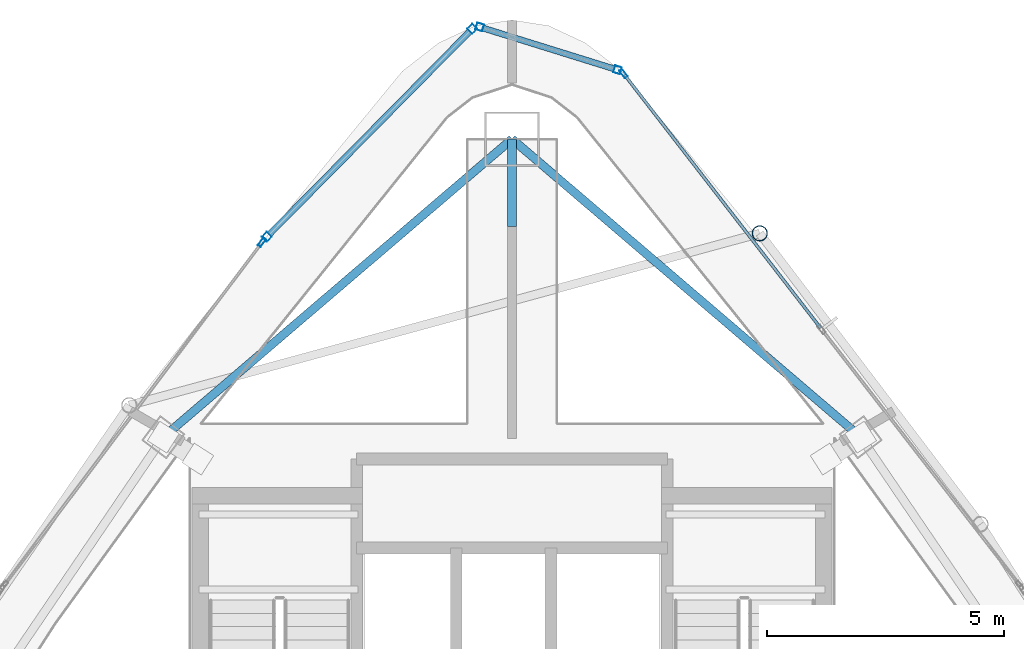
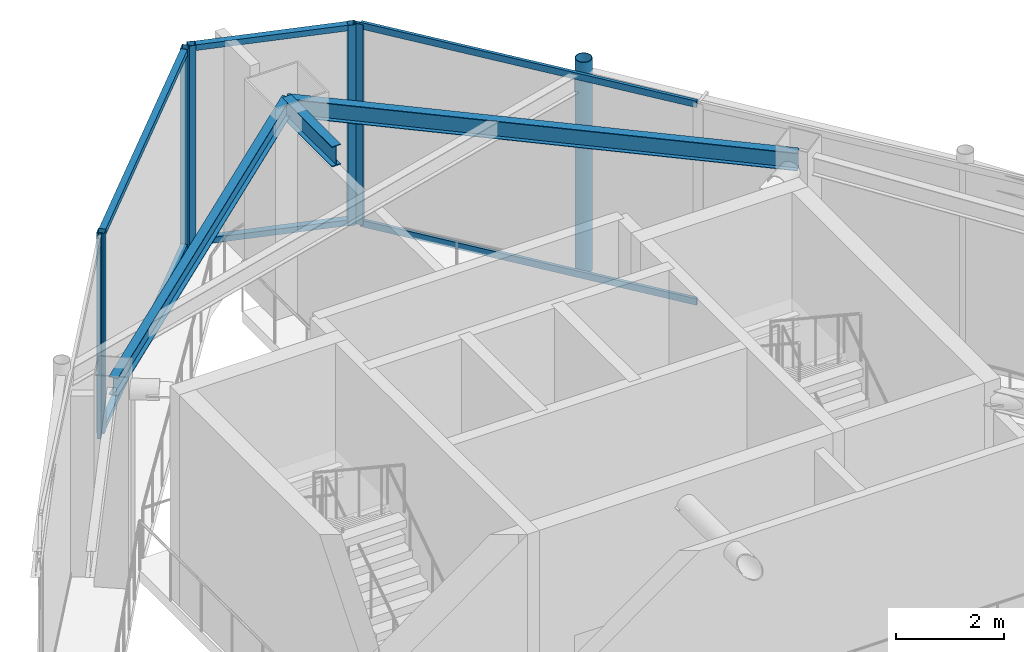
# One storey, part 15 of 20: 13 members, 3 beams, 4 elements without a shape of their own.
"""IFC4 building model written with IfcOpenShell, lengths in metres."""

from ifc_helpers import new_model, si_unit, direction, frame, origin, origin_2d, place, context, subcontext, project, spatial, hollow_rectangle, hollow_circle, i_section, extrude, material, layer, layer_set, material_profile, profile_set, type_object, element, aggregate, save


model = new_model("IFC4")

# Units and contexts
model_context = context("Model", 3, precision=1e-05, world=origin(), true_north=direction((0.0, 1.0)))
body_context = subcontext(model_context, "Body", "Model", "MODEL_VIEW")
ifc_project = project(units=[si_unit("LENGTHUNIT", "METRE"), si_unit("AREAUNIT", "SQUARE_METRE"), si_unit("VOLUMEUNIT", "CUBIC_METRE"), si_unit("PLANEANGLEUNIT", "RADIAN"), si_unit("MASSUNIT", "GRAM", prefix="KILO")], contexts=[model_context])

# Site, building, storey
site_placement = place(None, origin())
site = spatial("IfcSite", under=ifc_project, at=site_placement, CompositionType="ELEMENT")
building_placement = place(site_placement, origin())
building = spatial("IfcBuilding", under=site, at=building_placement, Name="Orvanel Arch Residences", CompositionType="ELEMENT")
storey_placement = place(building_placement, frame((0.0, 0.0, 305.300048828125)))
storey = spatial("IfcBuildingStorey", under=building, at=storey_placement, Name="L85", CompositionType="ELEMENT", Elevation=305.300048828125)

# Beam
ifc_material_1 = material(Name="Structural steel AS/NZS 3679.1 Grade 300 (300 MPa)", Category="steel")
ifc_material_profile_1 = material_profile(ifc_material_1, i_section(OverallWidth=0.19091796875, OverallDepth=0.4599609375, WebThickness=0.010009765625, FlangeThickness=0.01611328125, at=origin_2d()), Name="460UB82.1")
ifc_profile_set_1 = profile_set([ifc_material_profile_1], Name="Structural steel AS/NZS 3679.1 Grade 300 (300 MPa)")
beam_type_1 = type_object("IfcBeamType", Name="BG-460UB", PredefinedType="BEAM", material=ifc_profile_set_1)
beam_placement = place(storey_placement, frame((33.0, 39.550048828125, 4.320068359375), z_axis=(0.0, 1.0, 0.0), x_axis=(-1.0, 0.0, 0.0)))
element("IfcBeam", 1, at=beam_placement, inside=storey, type_object=beam_type_1, Name="L85 North Radial Girder", PredefinedType="BEAM", context=body_context, shape_type="SweptSolid", body=[
    extrude(i_section(OverallWidth=0.19091796875, OverallDepth=0.4599609375, WebThickness=0.010009765625, FlangeThickness=0.01611328125, at=origin_2d()), origin(), (0.0, 0.0, 1.0), 1.847900390625),
])

# Curtain wall, members
ifc_material_2 = material(Name="Bronze-anodised aluminium AA6063-T6", Category="aluminium")
ifc_layer = layer(ifc_material_2, 0.2099609375)
ifc_layer_set = layer_set([ifc_layer], Name="Bronze-anodised aluminium AA6063-T6")
curtain_wall_type = type_object("IfcCurtainWallType", Name="CW7-TOP-SYS", PredefinedType="NOTDEFINED", material=ifc_layer_set)
curtain_wall_1_placement = place(storey_placement, origin())
curtain_wall_1 = element("IfcCurtainWall", 2, at=curtain_wall_1_placement, inside=storey, type_object=curtain_wall_type, Name="L85 CW7-TOP-SYS Unitised Curtain Wall", PredefinedType="NOTDEFINED")
ifc_material_profile_2 = material_profile(ifc_material_2, hollow_rectangle(XDim=0.14990234375, YDim=0.14990234375, WallThickness=0.0048828125, at=origin_2d()), Name="ALU150x150x5")
ifc_profile_set_2 = profile_set([ifc_material_profile_2], Name="Bronze-anodised aluminium AA6063-T6")
member_type_1 = type_object("IfcMemberType", Name="MUL-150x150", PredefinedType="MULLION", material=ifc_profile_set_2)
member_1_placement = place(storey_placement, frame((35.224365234375, 42.856201171875, 0.0), z_axis=(0.0, 0.0, 1.0), x_axis=(-0.297187104186, -0.954819263057, 0.0)))
member_1 = element("IfcMember", 3, at=member_1_placement, type_object=member_type_1, Name="CW-S7 mullion 1", PredefinedType="MULLION", context=body_context, shape_type="SweptSolid", body=[
    extrude(hollow_rectangle(XDim=0.14990234375, YDim=0.14990234375, WallThickness=0.0048828125, at=origin_2d()), origin(), (0.0, 0.0, 1.0), 4.550048828125),
])
member_2_placement = place(storey_placement, frame((32.318603515625, 43.7607421875, 0.0), z_axis=(0.0, 0.0, 1.0), x_axis=(-0.297187104186, -0.954819263057, 0.0)))
member_2 = element("IfcMember", 4, at=member_2_placement, type_object=member_type_1, Name="CW-S7 mullion 2", PredefinedType="MULLION", context=body_context, shape_type="SweptSolid", body=[
    extrude(hollow_rectangle(XDim=0.14990234375, YDim=0.14990234375, WallThickness=0.0048828125, at=origin_2d()), origin(), (0.0, 0.0, 1.0), 4.550048828125),
])

curtain_wall_2_placement = place(storey_placement, origin())
curtain_wall_2 = element("IfcCurtainWall", 5, at=curtain_wall_2_placement, inside=storey, type_object=curtain_wall_type, Name="L85 CW7-TOP-SYS Unitised Curtain Wall", PredefinedType="NOTDEFINED")
member_3_placement = place(storey_placement, frame((32.161376953125, 43.7216796875, 0.0), z_axis=(0.0, 0.0, 1.0), x_axis=(0.71152705503, -0.702658700907, 0.0)))
member_3 = element("IfcMember", 6, at=member_3_placement, type_object=member_type_1, Name="CW-S7 mullion 1", PredefinedType="MULLION", context=body_context, shape_type="SweptSolid", body=[
    extrude(hollow_rectangle(XDim=0.14990234375, YDim=0.14990234375, WallThickness=0.0048828125, at=origin_2d()), origin(), (0.0, 0.0, 1.0), 4.550048828125),
])
member_4_placement = place(storey_placement, frame((27.82958984375, 39.33544921875, 0.0), z_axis=(0.0, 0.0, 1.0), x_axis=(0.71152705503, -0.702658700907, 0.0)))
member_4 = element("IfcMember", 7, at=member_4_placement, type_object=member_type_1, Name="CW-S7 mullion 2", PredefinedType="MULLION", context=body_context, shape_type="SweptSolid", body=[
    extrude(hollow_rectangle(XDim=0.14990234375, YDim=0.14990234375, WallThickness=0.0048828125, at=origin_2d()), origin(), (0.0, 0.0, 1.0), 4.550048828125),
])

# Curtain wall, member
curtain_wall_3_placement = place(storey_placement, origin())
curtain_wall_3 = element("IfcCurtainWall", 8, at=curtain_wall_3_placement, inside=storey, type_object=curtain_wall_type, Name="L85 CW7-TOP-SYS Unitised Curtain Wall", PredefinedType="NOTDEFINED")
ifc_material_profile_3 = material_profile(ifc_material_2, hollow_rectangle(XDim=0.074951171875, YDim=0.199951171875, WallThickness=0.0048828125, at=origin_2d()), Name="ALU200x75x5")
ifc_profile_set_3 = profile_set([ifc_material_profile_3], Name="Bronze-anodised aluminium AA6063-T6")
member_type_2 = type_object("IfcMemberType", Name="MUL-200x75", PredefinedType="MULLION", material=ifc_profile_set_3)
member_5_placement = place(storey_placement, frame((27.728515625, 39.221923828125, 0.0), z_axis=(0.0, 0.0, 1.0), x_axis=(0.799341985759, -0.600876351509, 0.0)))
member_5 = element("IfcMember", 9, at=member_5_placement, type_object=member_type_2, Name="CW-S7 mullion 1", PredefinedType="MULLION", context=body_context, shape_type="SweptSolid", body=[
    extrude(hollow_rectangle(XDim=0.074951171875, YDim=0.199951171875, WallThickness=0.0048828125, at=origin_2d()), origin(), (0.0, 0.0, 1.0), 4.550048828125),
])
aggregate(curtain_wall_3, [member_5])

curtain_wall_4_placement = place(storey_placement, origin())
curtain_wall_4 = element("IfcCurtainWall", 10, at=curtain_wall_4_placement, inside=storey, type_object=curtain_wall_type, Name="L85 CW7-TOP-SYS Unitised Curtain Wall", PredefinedType="NOTDEFINED")
member_6_placement = place(storey_placement, frame((35.349853515625, 42.782470703125, 0.0), z_axis=(0.0, 0.0, 1.0), x_axis=(-0.790656592833, -0.612259873102, 0.0)))
member_6 = element("IfcMember", 11, at=member_6_placement, type_object=member_type_2, Name="CW-S7 mullion 3", PredefinedType="MULLION", context=body_context, shape_type="SweptSolid", body=[
    extrude(hollow_rectangle(XDim=0.074951171875, YDim=0.199951171875, WallThickness=0.0048828125, at=origin_2d()), origin(), (0.0, 0.0, 1.0), 4.550048828125),
])

# Beams
ifc_material_profile_4 = material_profile(ifc_material_1, i_section(OverallWidth=0.177978515625, OverallDepth=0.406005859375, WebThickness=0.0078125, FlangeThickness=0.0126953125, at=origin_2d()), Name="410UB59.7")
ifc_profile_set_4 = profile_set([ifc_material_profile_4], Name="Structural steel AS/NZS 3679.1 Grade 300 (300 MPa)")
beam_type_2 = type_object("IfcBeamType", Name="OB-410UB", PredefinedType="SPANDREL", material=ifc_profile_set_4)
for number, where, z_axis, x_axis, name in (
    (12, (40.35205078125, 35.113037109375, 4.346923828125), (-0.760116518398, 0.649786794617, 0.0), (-0.649786794617, -0.760116518398, 0.0), "L85 Perimeter Spandrel Beam 09"),
    (13, (33.0, 41.39794921875, 4.346923828125), (-0.760116518398, -0.649786794617, 0.0), (0.649786794617, -0.760116518398, 0.0), "L85 Perimeter Spandrel Beam 10"),
):
    element("IfcBeam", number, at=place(storey_placement, frame(where, z_axis=z_axis, x_axis=x_axis)), inside=storey, type_object=beam_type_2, Name=name, PredefinedType="SPANDREL", context=body_context, shape_type="SweptSolid", body=[
        extrude(i_section(OverallWidth=0.177978515625, OverallDepth=0.406005859375, WebThickness=0.0078125, FlangeThickness=0.0126953125, at=origin_2d()), origin(), (0.0, 0.0, 1.0), 9.67236328125),
    ])

# Member
ifc_material_3 = material(Name="Structural steel AS/NZS 1163 C350L0 (Grade 350)", Category="steel")
ifc_material_profile_5 = material_profile(ifc_material_3, hollow_circle(Radius=0.162109375, WallThickness=0.0126953125, at=origin_2d()), Name="CHS324x12.7")
ifc_profile_set_5 = profile_set([ifc_material_profile_5], Name="Structural steel AS/NZS 1163 C350L0 (Grade 350)")
member_type_3 = type_object("IfcMemberType", Name="ST-324CHS-EXT", PredefinedType="STRUT", material=ifc_profile_set_5)
member_7_placement = place(storey_placement, frame((38.22412109375, 39.409912109375, 0.0), z_axis=(0.0, 0.0, 1.0), x_axis=(1.0, 0.0, 0.0)))
element("IfcMember", 14, at=member_7_placement, inside=storey, type_object=member_type_3, Name="L85 Outer Perimeter Frame Post 12", PredefinedType="STRUT", context=body_context, shape_type="SweptSolid", body=[
    extrude(hollow_circle(Radius=0.162109375, WallThickness=0.0126953125, at=origin_2d()), origin(), (0.0, 0.0, 1.0), 4.800048828125),
])

ifc_material_profile_6 = material_profile(ifc_material_2, hollow_rectangle(XDim=0.1298828125, YDim=0.1298828125, WallThickness=0.00439453125, at=origin_2d()), Name="ALU130x130x4.5")
ifc_profile_set_6 = profile_set([ifc_material_profile_6], Name="Bronze-anodised aluminium AA6063-T6")
member_type_4 = type_object("IfcMemberType", Name="TRN-130x130", PredefinedType="USERDEFINED", material=ifc_profile_set_6)
member_8_placement = place(storey_placement, frame((35.15283203125, 42.878662109375, 0.06494140625), z_axis=(-0.954821665977, 0.297179383843, 0.0), x_axis=(-0.297179383843, -0.954821665977, 0.0)))
member_8 = element("IfcMember", 15, at=member_8_placement, type_object=member_type_4, Name="CW-S7 transom 1.1", ObjectType="TRANSOM", PredefinedType="USERDEFINED", context=body_context, shape_type="SweptSolid", body=[
    extrude(hollow_rectangle(XDim=0.1298828125, YDim=0.1298828125, WallThickness=0.00439453125, at=origin_2d()), origin(), (0.0, 0.0, 1.0), 2.893310546875),
])

member_9_placement = place(storey_placement, frame((35.15283203125, 42.878662109375, 4.48486328125), z_axis=(-0.954821665977, 0.297179383843, 0.0), x_axis=(-0.297179383843, -0.954821665977, 0.0)))
member_9 = element("IfcMember", 16, at=member_9_placement, type_object=member_type_4, Name="CW-S7 transom 1.2", ObjectType="TRANSOM", PredefinedType="USERDEFINED", context=body_context, shape_type="SweptSolid", body=[
    extrude(hollow_rectangle(XDim=0.1298828125, YDim=0.1298828125, WallThickness=0.00439453125, at=origin_2d()), origin(), (0.0, 0.0, 1.0), 2.893310546875),
])

aggregate(curtain_wall_1, [member_1, member_2, member_8, member_9])

member_10_placement = place(storey_placement, frame((32.108642578125, 43.668212890625, 0.06494140625), z_axis=(-0.702668534455, -0.711517343912, 0.0), x_axis=(0.711517343912, -0.702668534455, 0.0)))
member_10 = element("IfcMember", 17, at=member_10_placement, type_object=member_type_4, Name="CW-S7 transom 1.1", ObjectType="TRANSOM", PredefinedType="USERDEFINED", context=body_context, shape_type="SweptSolid", body=[
    extrude(hollow_rectangle(XDim=0.1298828125, YDim=0.1298828125, WallThickness=0.00439453125, at=origin_2d()), origin(), (0.0, 0.0, 1.0), 6.0146484375),
])

member_11_placement = place(storey_placement, frame((32.108642578125, 43.668212890625, 4.48486328125), z_axis=(-0.702668534455, -0.711517343912, 0.0), x_axis=(0.711517343912, -0.702668534455, 0.0)))
member_11 = element("IfcMember", 18, at=member_11_placement, type_object=member_type_4, Name="CW-S7 transom 1.2", ObjectType="TRANSOM", PredefinedType="USERDEFINED", context=body_context, shape_type="SweptSolid", body=[
    extrude(hollow_rectangle(XDim=0.1298828125, YDim=0.1298828125, WallThickness=0.00439453125, at=origin_2d()), origin(), (0.0, 0.0, 1.0), 6.0146484375),
])

aggregate(curtain_wall_2, [member_3, member_4, member_10, member_11])

ifc_material_profile_7 = material_profile(ifc_material_2, hollow_rectangle(XDim=0.06494140625, YDim=0.14990234375, WallThickness=0.00390625, at=origin_2d()), Name="ALU150x65x4")
ifc_profile_set_7 = profile_set([ifc_material_profile_7], Name="Bronze-anodised aluminium AA6063-T6")
member_type_5 = type_object("IfcMemberType", Name="TRN-150x65", PredefinedType="USERDEFINED", material=ifc_profile_set_7)
member_12_placement = place(storey_placement, frame((39.506591796875, 37.41455078125, 0.032470703125), z_axis=(-0.61226945959, 0.790649169261, 0.0), x_axis=(-0.790649169261, -0.61226945959, 0.0)))
member_12 = element("IfcMember", 19, at=member_12_placement, type_object=member_type_5, Name="CW-S7 transom 2.1", ObjectType="TRANSOM", PredefinedType="USERDEFINED", context=body_context, shape_type="SweptSolid", body=[
    extrude(hollow_rectangle(XDim=0.06494140625, YDim=0.14990234375, WallThickness=0.00390625, at=origin_2d()), origin(), (0.0, 0.0, 1.0), 6.75146484375),
])

member_13_placement = place(storey_placement, frame((39.506591796875, 37.41455078125, 4.517333984375), z_axis=(-0.61226945959, 0.790649169261, 0.0), x_axis=(-0.790649169261, -0.61226945959, 0.0)))
member_13 = element("IfcMember", 20, at=member_13_placement, type_object=member_type_5, Name="CW-S7 transom 2.2", ObjectType="TRANSOM", PredefinedType="USERDEFINED", context=body_context, shape_type="SweptSolid", body=[
    extrude(hollow_rectangle(XDim=0.06494140625, YDim=0.14990234375, WallThickness=0.00390625, at=origin_2d()), origin(), (0.0, 0.0, 1.0), 6.75146484375),
])

aggregate(curtain_wall_4, [member_6, member_12, member_13])

save(model, "model.ifc")
